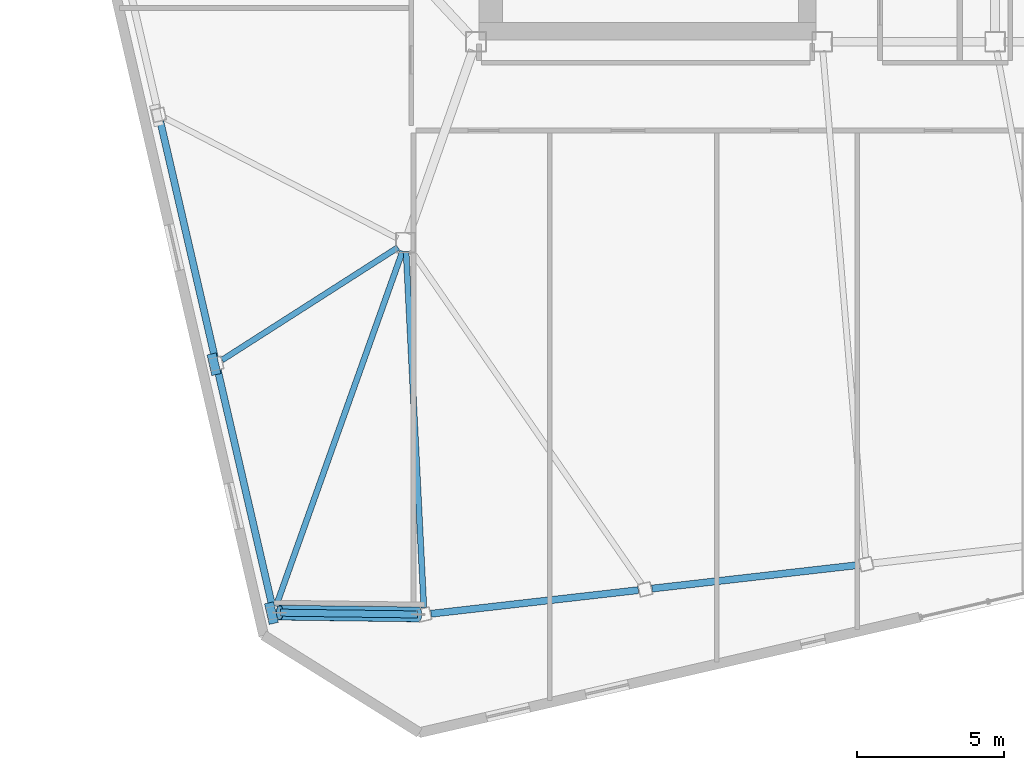
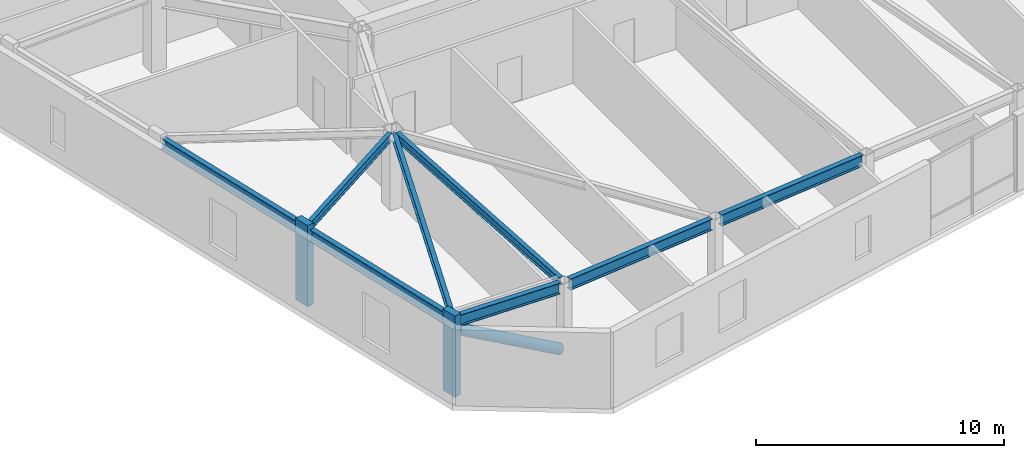
# One storey, part 5 of 24: 8 beams, 3 members.
"""IFC4 building model written with IfcOpenShell, lengths in metres."""

from ifc_helpers import new_model, si_unit, direction, frame, origin, origin_2d, place, context, subcontext, project, spatial, rectangle, hollow_circle, i_section, extrude, material, material_profile, profile_set, type_object, element, save


model = new_model("IFC4")

# Units and contexts
model_context = context("Model", 3, precision=1e-05, world=origin(), true_north=direction((0.0, 1.0)))
body_context = subcontext(model_context, "Body", "Model", "MODEL_VIEW")
ifc_project = project(units=[si_unit("LENGTHUNIT", "METRE"), si_unit("AREAUNIT", "SQUARE_METRE"), si_unit("VOLUMEUNIT", "CUBIC_METRE"), si_unit("PLANEANGLEUNIT", "RADIAN"), si_unit("MASSUNIT", "GRAM", prefix="KILO")], contexts=[model_context])

# Site, building, storey
site_placement = place(None, origin())
site = spatial("IfcSite", under=ifc_project, at=site_placement, CompositionType="ELEMENT")
building_placement = place(site_placement, origin())
building = spatial("IfcBuilding", under=site, at=building_placement, Name="Tavrogorsk Clinical Tower", CompositionType="ELEMENT")
storey_placement = place(building_placement, frame((0.0, 0.0, 309.0)))
storey = spatial("IfcBuildingStorey", under=building, at=storey_placement, Name="L72", CompositionType="ELEMENT", Elevation=309.0)

# Member
ifc_material_1 = material(Name="Structural steel S440", Category="steel")
ifc_material_profile_1 = material_profile(ifc_material_1, hollow_circle(Radius=0.25390625, WallThickness=0.02001953125, at=origin_2d()), Name="CHS-508x20")
ifc_profile_set_1 = profile_set([ifc_material_profile_1], Name="Structural steel S440")
member_type_1 = type_object("IfcMemberType", Name="ExoBrace_CHS508", PredefinedType="BRACE", material=ifc_profile_set_1)
member_placement = place(storey_placement, frame((-24.07080078125, -25.883056640625, 0.412841796875), z_axis=(-0.874894907887, 0.011394569062, 0.484178752062), x_axis=(-0.013022824449, -0.999915199426, 0.0)))
element("IfcMember", 1, at=member_placement, inside=storey, type_object=member_type_1, Name="L72 Corner Exoskeleton Brace W5-S1", PredefinedType="BRACE", context=body_context, shape_type="SweptSolid", body=[
    extrude(hollow_circle(Radius=0.25390625, WallThickness=0.02001953125, at=origin_2d()), origin(), (0.0, 0.0, 1.0), 5.3994140625),
])

# Beams
ifc_material_2 = material(Name="Structural steel S355", Category="steel")
ifc_material_profile_2 = material_profile(ifc_material_2, i_section(OverallWidth=0.199951171875, OverallDepth=0.39990234375, WebThickness=0.010498046875, FlangeThickness=0.01611328125, at=origin_2d()), Name="B-400x200x10.5x16")
ifc_profile_set_2 = profile_set([ifc_material_profile_2], Name="Structural steel S355")
beam_type_1 = type_object("IfcBeamType", Name="FloorBeam_B400", PredefinedType="BEAM", material=ifc_profile_set_2)
beam_1_placement = place(storey_placement, frame((-24.484619140625, -13.509521484375, 3.5400390625), z_axis=(0.049857498916, -0.998756341558, 0.0), x_axis=(0.998756341558, 0.049857498916, 0.0)))
element("IfcBeam", 2, at=beam_1_placement, inside=storey, type_object=beam_type_1, Name="L72 Radial Floor Beam S1", PredefinedType="BEAM", context=body_context, shape_type="SweptSolid", body=[
    extrude(i_section(OverallWidth=0.199951171875, OverallDepth=0.39990234375, WebThickness=0.010498046875, FlangeThickness=0.01611328125, at=origin_2d()), origin(), (0.0, 0.0, 1.0), 12.15869140625),
])
beam_2_placement = place(storey_placement, frame((-24.76123046875, -13.3671875, 3.5400390625), z_axis=(-0.842332392078, -0.538958385459, 0.0), x_axis=(0.538958385459, -0.842332392078, 0.0)))
element("IfcBeam", 3, at=beam_2_placement, inside=storey, type_object=beam_type_1, Name="L72 Radial Floor Beam W4", PredefinedType="BEAM", context=body_context, shape_type="SweptSolid", body=[
    extrude(i_section(OverallWidth=0.199951171875, OverallDepth=0.39990234375, WebThickness=0.010498046875, FlangeThickness=0.01611328125, at=origin_2d()), origin(), (0.0, 0.0, 1.0), 7.123779296875),
])
beam_3_placement = place(storey_placement, frame((-24.60400390625, -13.491943359375, 3.5400390625), z_axis=(-0.335800921645, -0.941932981173, 0.0), x_axis=(0.941932981173, -0.335800921645, 0.0)))
element("IfcBeam", 4, at=beam_3_placement, inside=storey, type_object=beam_type_1, Name="L72 Radial Floor Beam W5", PredefinedType="BEAM", context=body_context, shape_type="SweptSolid", body=[
    extrude(i_section(OverallWidth=0.199951171875, OverallDepth=0.39990234375, WebThickness=0.010498046875, FlangeThickness=0.01611328125, at=origin_2d()), origin(), (0.0, 0.0, 1.0), 12.85400390625),
])

# Members
ifc_material_3 = material(Name="Precast concrete B45 with limestone cladding", Category="masonry")
ifc_material_profile_3 = material_profile(ifc_material_3, rectangle(XDim=0.320068359375, YDim=0.719970703125, at=origin_2d()), Name="LIMESTONE-FIN-320x720")
ifc_profile_set_3 = profile_set([ifc_material_profile_3], Name="Precast concrete B45 with limestone cladding")
member_type_2 = type_object("IfcMemberType", Name="LimestonePleatFin_320x720", PredefinedType="USERDEFINED", material=ifc_profile_set_3)
for number, where, z_axis, x_axis, name in (
    (5, (-31.035888671875, -17.35009765625, 0.0), (0.0, 0.0, 1.0), (0.974370064785, 0.224951054344, 0.0), "L72 W Pleated Stone Fin 3"),
    (6, (-29.07666015625, -25.8369140625, 0.0), (0.0, 0.0, 1.0), (0.974370064785, 0.224951054344, 0.0), "L72 W Pleated Stone Fin 4"),
):
    element("IfcMember", number, at=place(storey_placement, frame(where, z_axis=z_axis, x_axis=x_axis)), inside=storey, type_object=member_type_2, Name=name, ObjectType="FIN", PredefinedType="USERDEFINED", context=body_context, shape_type="SweptSolid", body=[
        extrude(rectangle(XDim=0.320068359375, YDim=0.719970703125, at=origin_2d()), origin(), (0.0, 0.0, 1.0), 4.0),
    ])

# Beams
ifc_material_4 = material(Name="Structural steel S390", Category="steel")
ifc_material_profile_4 = material_profile(ifc_material_4, i_section(OverallWidth=0.239990234375, OverallDepth=0.550048828125, WebThickness=0.013916015625, FlangeThickness=0.02197265625, at=origin_2d()), Name="B-550x240x14x22")
ifc_profile_set_4 = profile_set([ifc_material_profile_4], Name="Structural steel S390")
beam_type_2 = type_object("IfcBeamType", Name="SpandrelBeam_B550", PredefinedType="SPANDREL", material=ifc_profile_set_4)
for number, where, z_axis, x_axis, name in (
    (7, (-23.635498046875, -25.859375, 3.465087890625), (0.993572073137, 0.113201305126, 0.0), (-0.113201305126, 0.993572073137, 0.0), "L72 Perimeter Spandrel S1-S2"),
    (8, (-16.098876953125, -25.000732421875, 3.465087890625), (0.993572073137, 0.113201305126, 0.0), (-0.113201305126, 0.993572073137, 0.0), "L72 Perimeter Spandrel S2-S3"),
):
    element("IfcBeam", number, at=place(storey_placement, frame(where, z_axis=z_axis, x_axis=x_axis)), inside=storey, type_object=beam_type_2, Name=name, PredefinedType="SPANDREL", context=body_context, shape_type="SweptSolid", body=[
        extrude(i_section(OverallWidth=0.239990234375, OverallDepth=0.550048828125, WebThickness=0.013916015625, FlangeThickness=0.02197265625, at=origin_2d()), origin(), (0.0, 0.0, 1.0), 7.119140625),
    ])
beam_4_placement = place(storey_placement, frame((-32.864990234375, -9.072509765625, 3.465087890625), z_axis=(0.224978460613, -0.974363737144, 0.0), x_axis=(0.974363737144, 0.224978460613, 0.0)))
element("IfcBeam", 9, at=beam_4_placement, inside=storey, type_object=beam_type_2, Name="L72 Perimeter Spandrel W3-W4", PredefinedType="SPANDREL", context=body_context, shape_type="SweptSolid", body=[
    extrude(i_section(OverallWidth=0.239990234375, OverallDepth=0.550048828125, WebThickness=0.013916015625, FlangeThickness=0.02197265625, at=origin_2d()), origin(), (0.0, 0.0, 1.0), 8.244140625),
])
beam_5_placement = place(storey_placement, frame((-30.905517578125, -17.559326171875, 3.465087890625), z_axis=(0.224950345141, -0.974370228517, 0.0), x_axis=(0.974370228517, 0.224950345141, 0.0)))
element("IfcBeam", 10, at=beam_5_placement, inside=storey, type_object=beam_type_2, Name="L72 Perimeter Spandrel W4-W5", PredefinedType="SPANDREL", context=body_context, shape_type="SweptSolid", body=[
    extrude(i_section(OverallWidth=0.239990234375, OverallDepth=0.550048828125, WebThickness=0.013916015625, FlangeThickness=0.02197265625, at=origin_2d()), origin(), (0.0, 0.0, 1.0), 8.243896484375),
])
beam_6_placement = place(storey_placement, frame((-28.765625, -25.822021484375, 3.465087890625), z_axis=(0.999915131489, -0.013028039754, 0.0), x_axis=(0.013028039754, 0.999915131489, 0.0)))
element("IfcBeam", 11, at=beam_6_placement, inside=storey, type_object=beam_type_2, Name="L72 Perimeter Spandrel W5-S1", PredefinedType="SPANDREL", context=body_context, shape_type="SweptSolid", body=[
    extrude(i_section(OverallWidth=0.239990234375, OverallDepth=0.550048828125, WebThickness=0.013916015625, FlangeThickness=0.02197265625, at=origin_2d()), origin(), (0.0, 0.0, 1.0), 4.666259765625),
])

save(model, "model.ifc")
